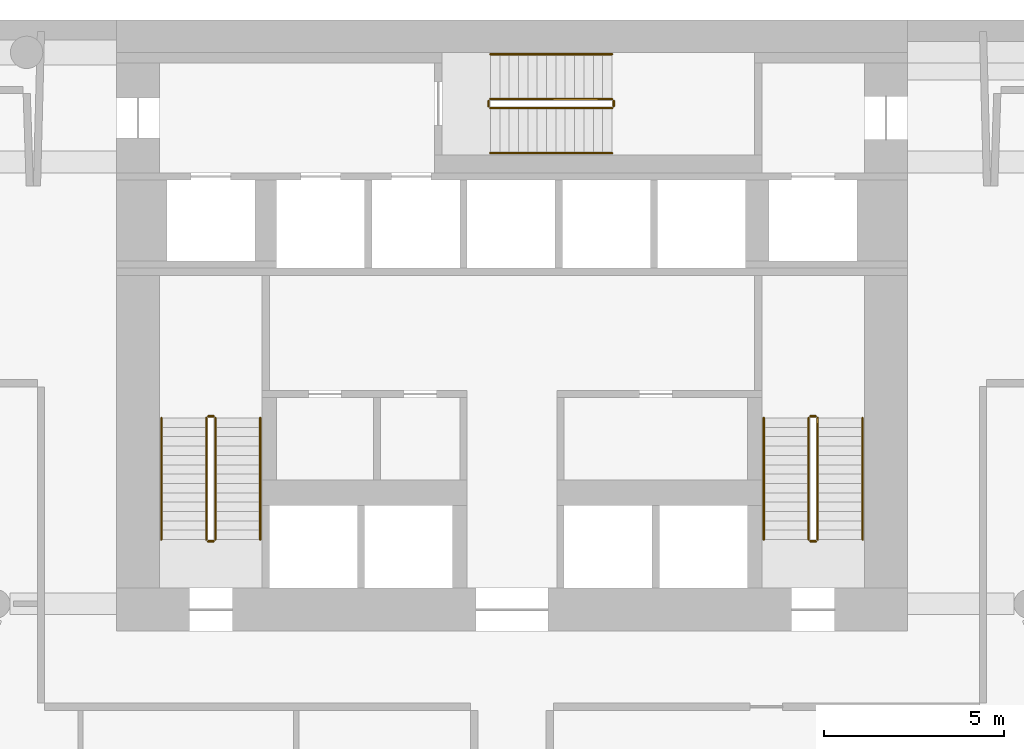
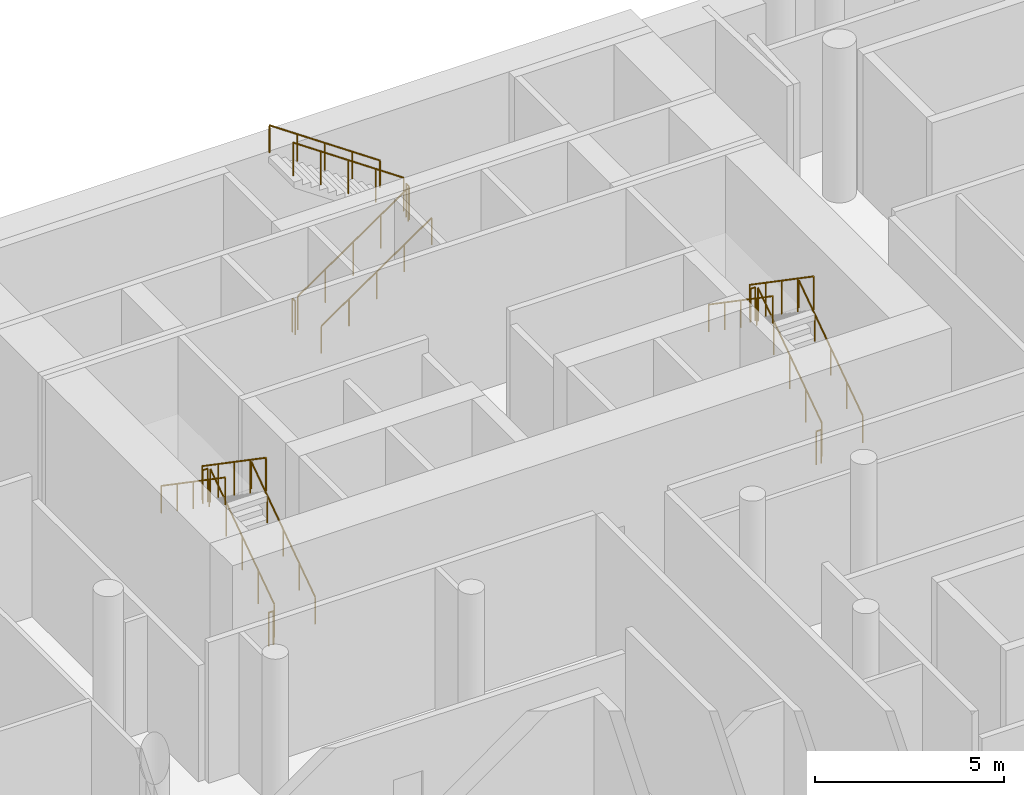
# One storey, part 10 of 10: 18 railings.
"""IFC4 building model written with IfcOpenShell, lengths in metres."""

import ifcopenshell
import ifcopenshell.guid

model = None  # the IFC model being written
_history = None  # IfcOwnerHistory: only IFC2X3 demands one
_inside = {}  # id of a spatial element -> (the spatial element, [elements in it])
_under = {}  # id of a project, library or spatial element -> (it, [spatial elements below it])
_declared = {}  # id of a project -> (the project, [libraries it declares])
_typed = {}  # id of a type object -> (the type object, [elements of that type])
_made_of = {}  # id of a material, layer set ... -> (it, [elements and type objects made of it])


def new_model(schema):
    """Start an empty IFC model of exactly this schema.

    Asked for "IFC4X3", IfcOpenShell would pick the latest addendum, in which some entities
    have other attributes; the version numbers below select the first issue.
    IFC2X3 requires an IfcOwnerHistory on every rooted entity: one is made here for all.
    """
    global model, _history
    if schema == "IFC4X3":
        model = ifcopenshell.file(schema_version=(4, 3, 0, 0))
    else:
        model = ifcopenshell.file(schema=schema)
    _inside.clear()
    _under.clear()
    _declared.clear()
    _typed.clear()
    _made_of.clear()
    _history = None
    if model.schema == "IFC2X3":
        org = make("IfcOrganization", Name="unknown")
        user = make(
            "IfcPersonAndOrganization",
            ThePerson=make("IfcPerson", FamilyName="unknown"),
            TheOrganization=org,
        )
        app = make(
            "IfcApplication",
            ApplicationDeveloper=org,
            Version="unknown",
            ApplicationFullName="unknown",
            ApplicationIdentifier="unknown",
        )
        _history = make(
            "IfcOwnerHistory",
            OwningUser=user,
            OwningApplication=app,
            ChangeAction="ADDED",
            CreationDate=0,
        )
    return model


def make(cls, **values):
    """One entity of the class cls with the attributes given. An attribute that is None is left unset."""
    return model.create_entity(
        cls, **{name: value for name, value in values.items() if value is not None}
    )


def rooted(cls, **values):
    """An entity with a GlobalId (a new one), such as an element, a storey or a relation."""
    return make(cls, GlobalId=ifcopenshell.guid.new(), OwnerHistory=_history, **values)


def si_unit(unit_type, name, prefix=None):
    """IfcSIUnit, for example si_unit("LENGTHUNIT", "METRE", prefix="MILLI")."""
    return make("IfcSIUnit", UnitType=unit_type, Prefix=prefix, Name=name)


def assignment(units):
    """IfcUnitAssignment: the units of a project."""
    return None if units is None else make("IfcUnitAssignment", Units=units)


def point(xyz):
    """IfcCartesianPoint."""
    return None if xyz is None else make("IfcCartesianPoint", Coordinates=xyz)


def direction(xyz):
    """IfcDirection."""
    return None if xyz is None else make("IfcDirection", DirectionRatios=xyz)


def frame(location, z_axis=None, x_axis=None):
    """IfcAxis2Placement3D, a coordinate frame: its origin and axes. An axis left out is left unset."""
    return make(
        "IfcAxis2Placement3D",
        Location=point(location),
        Axis=direction(z_axis),
        RefDirection=direction(x_axis),
    )


def frame_2d(location, x_axis=None):
    """IfcAxis2Placement2D, a coordinate frame in the plane: its origin and x axis."""
    return make(
        "IfcAxis2Placement2D", Location=point(location), RefDirection=direction(x_axis)
    )


def origin():
    """The frame at (0, 0, 0) with its axes left unset."""
    return frame((0.0, 0.0, 0.0))


def origin_2d():
    """The frame at (0, 0) in the plane with its x axis left unset."""
    return frame_2d((0.0, 0.0))


def place(relative_to, where):
    """IfcLocalPlacement: puts the frame where relative to a parent placement (None: the world)."""
    return make(
        "IfcLocalPlacement", PlacementRelTo=relative_to, RelativePlacement=where
    )


def context(
    kind, dimensions, precision=None, world=None, true_north=None, identifier=None
):
    """IfcGeometricRepresentationContext, for example the 3D "Model" context."""
    return make(
        "IfcGeometricRepresentationContext",
        ContextIdentifier=identifier,
        ContextType=kind,
        CoordinateSpaceDimension=dimensions,
        Precision=precision,
        WorldCoordinateSystem=world,
        TrueNorth=true_north,
    )


def subcontext(parent, identifier, kind, view, scale=None):
    """IfcGeometricRepresentationSubContext, for example "Body" below "Model"."""
    return make(
        "IfcGeometricRepresentationSubContext",
        ContextIdentifier=identifier,
        ContextType=kind,
        ParentContext=parent,
        TargetScale=scale,
        TargetView=view,
    )


def project(units=None, contexts=None):
    """IfcProject with its units and contexts."""
    return rooted(
        "IfcProject",
        Name="project",
        RepresentationContexts=contexts,
        UnitsInContext=assignment(units),
    )


def spatial(cls, under=None, at=None, **own):
    """A site, building, storey or space (cls), placed at a placement, below another one or the project."""
    s = rooted(cls, ObjectPlacement=at, **own)
    if under is not None:
        _under.setdefault(under.id(), (under, []))[1].append(s)
    return s


def profile(cls, at=None, kind="AREA", **sizes):
    """A parametric profile (cls). Its sizes go by their IFC names, for example OverallWidth=200.0."""
    return make(cls, ProfileType=kind, Position=at, **sizes)


def circle(**sizes):
    """IfcCircleProfileDef."""
    return profile("IfcCircleProfileDef", **sizes)


def extrude(swept, where, along, depth):
    """IfcExtrudedAreaSolid: the profile swept, set in the frame where, extruded along a direction by depth."""
    return make(
        "IfcExtrudedAreaSolid",
        SweptArea=swept,
        Position=where,
        ExtrudedDirection=direction(along),
        Depth=depth,
    )


def shape(context_of_items, identifier, shape_type, items):
    """IfcShapeRepresentation: the items that make up one representation, for example the "Body"."""
    return make(
        "IfcShapeRepresentation",
        ContextOfItems=context_of_items,
        RepresentationIdentifier=identifier,
        RepresentationType=shape_type,
        Items=items,
    )


def material(Name=None, Category=None):
    """IfcMaterial."""
    return make("IfcMaterial", Name=Name, Category=Category)


def made_of(thing, what):
    """Note that an element or type object is made of a material, layer set ...; save() writes the relation."""
    if what is not None:
        _made_of.setdefault(what.id(), (what, []))[1].append(thing)
    return thing


def type_object(cls, material=None, **own):
    """A type object (cls), such as IfcWallType, which elements share."""
    return made_of(rooted(cls, **own), material)


def element(
    cls,
    number,
    at=None,
    inside=None,
    cuts=None,
    type_object=None,
    material=None,
    context=None,
    identifier="Body",
    shape_type=None,
    held_by="IfcProductDefinitionShape",
    body=None,
    shapes=None,
    **own,
):
    """One element of the class cls, such as IfcWall. Its Tag is "e" and its number.

    at: its placement. inside: the storey or other place that contains it. cuts: it is an
    opening in that element (IfcRelVoidsElement). A single representation is given by context,
    identifier, shape_type and body (its items); several are given by shapes. held_by: the class
    of the entity that holds the representations. save() writes the other relations.
    """
    e = rooted(cls, Tag="e%d" % number, ObjectPlacement=at, **own)
    if body is not None:
        shapes = [shape(context, identifier, shape_type, body)]
    if shapes is not None:
        e.Representation = make(held_by, Representations=shapes)
    if inside is not None:
        _inside.setdefault(inside.id(), (inside, []))[1].append(e)
    if cuts is not None:
        rooted(
            "IfcRelVoidsElement", RelatingBuildingElement=cuts, RelatedOpeningElement=e
        )
    if type_object is not None:
        _typed.setdefault(type_object.id(), (type_object, []))[1].append(e)
    return made_of(e, material)


def aggregate(whole, parts):
    """IfcRelAggregates: a whole, such as a stair, and the parts it consists of."""
    return rooted("IfcRelAggregates", RelatingObject=whole, RelatedObjects=parts)


def save(model, path):
    """Write the relations noted so far, then the file.

    IfcRelAggregates (storeys below a building ...), IfcRelContainedInSpatialStructure (elements
    in a storey), IfcRelDefinesByType, IfcRelAssociatesMaterial and IfcRelDeclares: one each for
    every whole, place, type object, material and project.
    """
    for whole, parts in _under.values():
        aggregate(whole, parts)
    for where, things in _inside.values():
        rooted(
            "IfcRelContainedInSpatialStructure",
            RelatedElements=things,
            RelatingStructure=where,
        )
    for kind, things in _typed.values():
        rooted("IfcRelDefinesByType", RelatedObjects=things, RelatingType=kind)
    for what, things in _made_of.values():
        rooted("IfcRelAssociatesMaterial", RelatedObjects=things, RelatingMaterial=what)
    for by, libraries in _declared.values():
        rooted("IfcRelDeclares", RelatingContext=by, RelatedDefinitions=libraries)
    model.write(path)


model = new_model("IFC4")

# Units and contexts
model_context = context("Model", 3, precision=1e-05, world=origin(), true_north=direction((0.0, 1.0)))
body_context = subcontext(model_context, "Body", "Model", "MODEL_VIEW")
ifc_project = project(units=[si_unit("LENGTHUNIT", "METRE"), si_unit("AREAUNIT", "SQUARE_METRE"), si_unit("VOLUMEUNIT", "CUBIC_METRE"), si_unit("PLANEANGLEUNIT", "RADIAN"), si_unit("MASSUNIT", "GRAM", prefix="KILO")], contexts=[model_context])

# Site, building, storey
site_placement = place(None, origin())
site = spatial("IfcSite", under=ifc_project, at=site_placement, CompositionType="ELEMENT")
building_placement = place(site_placement, origin())
building = spatial("IfcBuilding", under=site, at=building_placement, Name="White Candle Pilgrim Tower", CompositionType="ELEMENT")
storey_placement = place(building_placement, frame((0.0, 0.0, -5.0)))
storey = spatial("IfcBuildingStorey", under=building, at=storey_placement, Name="B1", CompositionType="ELEMENT", Elevation=-5.0)

# Railings
ifc_material = material(Name="Stainless steel", Category="steel")
railing_type_1 = type_object("IfcRailingType", Name="Stair guard stainless steel 1100 mm", PredefinedType="GUARDRAIL", material=ifc_material)
railing_1_placement = place(storey_placement, frame((61.75, 73.550048828125, 0.178466796875)))
element("IfcRailing", 1, at=railing_1_placement, inside=storey, type_object=railing_type_1, Name="B1 ST1 stair guard 1", PredefinedType="GUARDRAIL", context=body_context, shape_type="SweptSolid", body=[
    extrude(circle(Radius=0.02392578125, at=origin_2d()), frame((0.0, 0.0, 1.076171875), z_axis=(0.0, 0.824285065979, 0.566174999451), x_axis=(-1.0, 0.0, 0.0)), (0.0, 0.0, 1.0), 4.100341796875),
    extrude(circle(Radius=0.02099609375, at=origin_2d()), origin(), (0.0, 0.0, 1.0), 1.052001953125),
    extrude(circle(Radius=0.02099609375, at=origin_2d()), frame((0.0, 0.844970703125, 0.580322265625)), (0.0, 0.0, 1.0), 1.052001953125),
    extrude(circle(Radius=0.02099609375, at=origin_2d()), frame((0.0, 1.68994140625, 1.16064453125)), (0.0, 0.0, 1.0), 1.052001953125),
    extrude(circle(Radius=0.02099609375, at=origin_2d()), frame((0.0, 2.534912109375, 1.7412109375)), (0.0, 0.0, 1.0), 1.052001953125),
    extrude(circle(Radius=0.02099609375, at=origin_2d()), frame((0.0, 3.3798828125, 2.321533203125)), (0.0, 0.0, 1.0), 1.052001953125),
])
railing_2_placement = place(storey_placement, frame((61.699951171875, 76.97998046875, 2.5)))
element("IfcRailing", 2, at=railing_2_placement, inside=storey, type_object=railing_type_1, Name="B1 ST1 stair guard 2", PredefinedType="GUARDRAIL", context=body_context, shape_type="SweptSolid", body=[
    extrude(circle(Radius=0.02392578125, at=origin_2d()), frame((0.0, 0.0, 1.076171875), z_axis=(-1.0, 0.0, 0.0), x_axis=(0.0, -1.0, 0.0)), (0.0, 0.0, 1.0), 0.14990234375),
    extrude(circle(Radius=0.02099609375, at=origin_2d()), origin(), (0.0, 0.0, 1.0), 1.052001953125),
    extrude(circle(Radius=0.02099609375, at=origin_2d()), frame((-0.14990234375, 0.0, 0.0)), (0.0, 0.0, 1.0), 1.052001953125),
])
railing_3_placement = place(storey_placement, frame((61.5, 76.929931640625, 2.678466796875)))
element("IfcRailing", 3, at=railing_3_placement, inside=storey, type_object=railing_type_1, Name="B1 ST1 stair guard 3", PredefinedType="GUARDRAIL", context=body_context, shape_type="SweptSolid", body=[
    extrude(circle(Radius=0.02392578125, at=origin_2d()), frame((0.0, 0.0, 1.076171875), z_axis=(0.0, -0.824285065979, 0.566174999451), x_axis=(1.0, 0.0, 0.0)), (0.0, 0.0, 1.0), 4.100341796875),
    extrude(circle(Radius=0.02099609375, at=origin_2d()), origin(), (0.0, 0.0, 1.0), 1.052001953125),
    extrude(circle(Radius=0.02099609375, at=origin_2d()), frame((0.0, -0.844970703125, 0.580322265625)), (0.0, 0.0, 1.0), 1.052001953125),
    extrude(circle(Radius=0.02099609375, at=origin_2d()), frame((0.0, -1.68994140625, 1.16064453125)), (0.0, 0.0, 1.0), 1.052001953125),
    extrude(circle(Radius=0.02099609375, at=origin_2d()), frame((0.0, -2.534912109375, 1.7412109375)), (0.0, 0.0, 1.0), 1.052001953125),
    extrude(circle(Radius=0.02099609375, at=origin_2d()), frame((0.0, -3.3798828125, 2.321533203125)), (0.0, 0.0, 1.0), 1.052001953125),
])
railing_4_placement = place(storey_placement, frame((61.699951171875, 73.5, 0.0)))
element("IfcRailing", 4, at=railing_4_placement, inside=storey, type_object=railing_type_1, Name="B1 ST1 stair guard 4", PredefinedType="GUARDRAIL", context=body_context, shape_type="SweptSolid", body=[
    extrude(circle(Radius=0.02392578125, at=origin_2d()), frame((0.0, 0.0, 1.076171875), z_axis=(-1.0, 0.0, 0.0), x_axis=(0.0, -1.0, 0.0)), (0.0, 0.0, 1.0), 0.14990234375),
    extrude(circle(Radius=0.02099609375, at=origin_2d()), origin(), (0.0, 0.0, 1.0), 1.052001953125),
    extrude(circle(Radius=0.02099609375, at=origin_2d()), frame((-0.14990234375, 0.0, 0.0)), (0.0, 0.0, 1.0), 1.052001953125),
])
railing_5_placement = place(storey_placement, frame((78.5, 73.550048828125, 0.178466796875)))
element("IfcRailing", 5, at=railing_5_placement, inside=storey, type_object=railing_type_1, Name="B1 ST2 stair guard 1", PredefinedType="GUARDRAIL", context=body_context, shape_type="SweptSolid", body=[
    extrude(circle(Radius=0.02392578125, at=origin_2d()), frame((0.0, 0.0, 1.076171875), z_axis=(0.0, 0.824285065979, 0.566174999451), x_axis=(-1.0, 0.0, 0.0)), (0.0, 0.0, 1.0), 4.100341796875),
    extrude(circle(Radius=0.02099609375, at=origin_2d()), origin(), (0.0, 0.0, 1.0), 1.052001953125),
    extrude(circle(Radius=0.02099609375, at=origin_2d()), frame((0.0, 0.844970703125, 0.580322265625)), (0.0, 0.0, 1.0), 1.052001953125),
    extrude(circle(Radius=0.02099609375, at=origin_2d()), frame((0.0, 1.68994140625, 1.16064453125)), (0.0, 0.0, 1.0), 1.052001953125),
    extrude(circle(Radius=0.02099609375, at=origin_2d()), frame((0.0, 2.534912109375, 1.7412109375)), (0.0, 0.0, 1.0), 1.052001953125),
    extrude(circle(Radius=0.02099609375, at=origin_2d()), frame((0.0, 3.3798828125, 2.321533203125)), (0.0, 0.0, 1.0), 1.052001953125),
])
railing_6_placement = place(storey_placement, frame((78.449951171875, 76.97998046875, 2.5)))
element("IfcRailing", 6, at=railing_6_placement, inside=storey, type_object=railing_type_1, Name="B1 ST2 stair guard 2", PredefinedType="GUARDRAIL", context=body_context, shape_type="SweptSolid", body=[
    extrude(circle(Radius=0.02392578125, at=origin_2d()), frame((0.0, 0.0, 1.076171875), z_axis=(-1.0, 0.0, 0.0), x_axis=(0.0, -1.0, 0.0)), (0.0, 0.0, 1.0), 0.14990234375),
    extrude(circle(Radius=0.02099609375, at=origin_2d()), origin(), (0.0, 0.0, 1.0), 1.052001953125),
    extrude(circle(Radius=0.02099609375, at=origin_2d()), frame((-0.14990234375, 0.0, 0.0)), (0.0, 0.0, 1.0), 1.052001953125),
])
railing_7_placement = place(storey_placement, frame((78.25, 76.929931640625, 2.678466796875)))
element("IfcRailing", 7, at=railing_7_placement, inside=storey, type_object=railing_type_1, Name="B1 ST2 stair guard 3", PredefinedType="GUARDRAIL", context=body_context, shape_type="SweptSolid", body=[
    extrude(circle(Radius=0.02392578125, at=origin_2d()), frame((0.0, 0.0, 1.076171875), z_axis=(0.0, -0.824285065979, 0.566174999451), x_axis=(1.0, 0.0, 0.0)), (0.0, 0.0, 1.0), 4.100341796875),
    extrude(circle(Radius=0.02099609375, at=origin_2d()), origin(), (0.0, 0.0, 1.0), 1.052001953125),
    extrude(circle(Radius=0.02099609375, at=origin_2d()), frame((0.0, -0.844970703125, 0.580322265625)), (0.0, 0.0, 1.0), 1.052001953125),
    extrude(circle(Radius=0.02099609375, at=origin_2d()), frame((0.0, -1.68994140625, 1.16064453125)), (0.0, 0.0, 1.0), 1.052001953125),
    extrude(circle(Radius=0.02099609375, at=origin_2d()), frame((0.0, -2.534912109375, 1.7412109375)), (0.0, 0.0, 1.0), 1.052001953125),
    extrude(circle(Radius=0.02099609375, at=origin_2d()), frame((0.0, -3.3798828125, 2.321533203125)), (0.0, 0.0, 1.0), 1.052001953125),
])
railing_8_placement = place(storey_placement, frame((78.449951171875, 73.5, 0.0)))
element("IfcRailing", 8, at=railing_8_placement, inside=storey, type_object=railing_type_1, Name="B1 ST2 stair guard 4", PredefinedType="GUARDRAIL", context=body_context, shape_type="SweptSolid", body=[
    extrude(circle(Radius=0.02392578125, at=origin_2d()), frame((0.0, 0.0, 1.076171875), z_axis=(-1.0, 0.0, 0.0), x_axis=(0.0, -1.0, 0.0)), (0.0, 0.0, 1.0), 0.14990234375),
    extrude(circle(Radius=0.02099609375, at=origin_2d()), origin(), (0.0, 0.0, 1.0), 1.052001953125),
    extrude(circle(Radius=0.02099609375, at=origin_2d()), frame((-0.14990234375, 0.0, 0.0)), (0.0, 0.0, 1.0), 1.052001953125),
])
railing_9_placement = place(storey_placement, frame((69.39990234375, 85.550048828125, 0.178466796875)))
element("IfcRailing", 9, at=railing_9_placement, inside=storey, type_object=railing_type_1, Name="B1 ST3 stair guard 1", PredefinedType="GUARDRAIL", context=body_context, shape_type="SweptSolid", body=[
    extrude(circle(Radius=0.02392578125, at=origin_2d()), frame((0.0, 0.0, 1.076171875), z_axis=(0.824304150675, 0.0, 0.566147213346), x_axis=(0.0, 1.0, 0.0)), (0.0, 0.0, 1.0), 4.1005859375),
    extrude(circle(Radius=0.02099609375, at=origin_2d()), origin(), (0.0, 0.0, 1.0), 1.052001953125),
    extrude(circle(Radius=0.02099609375, at=origin_2d()), frame((0.844970703125, 0.0, 0.580322265625)), (0.0, 0.0, 1.0), 1.052001953125),
    extrude(circle(Radius=0.02099609375, at=origin_2d()), frame((1.68994140625, 0.0, 1.16064453125)), (0.0, 0.0, 1.0), 1.052001953125),
    extrude(circle(Radius=0.02099609375, at=origin_2d()), frame((2.53515625, 0.0, 1.7412109375)), (0.0, 0.0, 1.0), 1.052001953125),
    extrude(circle(Radius=0.02099609375, at=origin_2d()), frame((3.380126953125, 0.0, 2.321533203125)), (0.0, 0.0, 1.0), 1.052001953125),
])
railing_10_placement = place(storey_placement, frame((72.830078125, 85.60009765625, 2.5)))
element("IfcRailing", 10, at=railing_10_placement, inside=storey, type_object=railing_type_1, Name="B1 ST3 stair guard 2", PredefinedType="GUARDRAIL", context=body_context, shape_type="SweptSolid", body=[
    extrude(circle(Radius=0.02392578125, at=origin_2d()), frame((0.0, 0.0, 1.076171875), z_axis=(0.0, 1.0, 0.0), x_axis=(-1.0, 0.0, 0.0)), (0.0, 0.0, 1.0), 0.14990234375),
    extrude(circle(Radius=0.02099609375, at=origin_2d()), origin(), (0.0, 0.0, 1.0), 1.052001953125),
    extrude(circle(Radius=0.02099609375, at=origin_2d()), frame((0.0, 0.14990234375, 0.0)), (0.0, 0.0, 1.0), 1.052001953125),
])
railing_11_placement = place(storey_placement, frame((72.780029296875, 85.800048828125, 2.678466796875)))
element("IfcRailing", 11, at=railing_11_placement, inside=storey, type_object=railing_type_1, Name="B1 ST3 stair guard 3", PredefinedType="GUARDRAIL", context=body_context, shape_type="SweptSolid", body=[
    extrude(circle(Radius=0.02392578125, at=origin_2d()), frame((0.0, 0.0, 1.076171875), z_axis=(-0.824304150675, 0.0, 0.566147213346), x_axis=(0.0, -1.0, 0.0)), (0.0, 0.0, 1.0), 4.1005859375),
    extrude(circle(Radius=0.02099609375, at=origin_2d()), origin(), (0.0, 0.0, 1.0), 1.052001953125),
    extrude(circle(Radius=0.02099609375, at=origin_2d()), frame((-0.844970703125, 0.0, 0.580322265625)), (0.0, 0.0, 1.0), 1.052001953125),
    extrude(circle(Radius=0.02099609375, at=origin_2d()), frame((-1.68994140625, 0.0, 1.16064453125)), (0.0, 0.0, 1.0), 1.052001953125),
    extrude(circle(Radius=0.02099609375, at=origin_2d()), frame((-2.53515625, 0.0, 1.7412109375)), (0.0, 0.0, 1.0), 1.052001953125),
    extrude(circle(Radius=0.02099609375, at=origin_2d()), frame((-3.380126953125, 0.0, 2.321533203125)), (0.0, 0.0, 1.0), 1.052001953125),
])
railing_12_placement = place(storey_placement, frame((69.35009765625, 85.60009765625, 0.0)))
element("IfcRailing", 12, at=railing_12_placement, inside=storey, type_object=railing_type_1, Name="B1 ST3 stair guard 4", PredefinedType="GUARDRAIL", context=body_context, shape_type="SweptSolid", body=[
    extrude(circle(Radius=0.02392578125, at=origin_2d()), frame((0.0, 0.0, 1.076171875), z_axis=(0.0, 1.0, 0.0), x_axis=(-1.0, 0.0, 0.0)), (0.0, 0.0, 1.0), 0.14990234375),
    extrude(circle(Radius=0.02099609375, at=origin_2d()), origin(), (0.0, 0.0, 1.0), 1.052001953125),
    extrude(circle(Radius=0.02099609375, at=origin_2d()), frame((0.0, 0.14990234375, 0.0)), (0.0, 0.0, 1.0), 1.052001953125),
])
railing_type_2 = type_object("IfcRailingType", Name="Stair handrail stainless steel", PredefinedType="HANDRAIL", material=ifc_material)
railing_13_placement = place(storey_placement, frame((63.0, 73.550048828125, 0.178466796875)))
element("IfcRailing", 13, at=railing_13_placement, inside=storey, type_object=railing_type_2, Name="B1 ST1 stair handrail 1", PredefinedType="HANDRAIL", context=body_context, shape_type="SweptSolid", body=[
    extrude(circle(Radius=0.02392578125, at=origin_2d()), frame((0.0, 0.0, 0.8759765625), z_axis=(0.0, 0.824285065979, 0.566174999451), x_axis=(-1.0, 0.0, 0.0)), (0.0, 0.0, 1.0), 4.100341796875),
    extrude(circle(Radius=0.02099609375, at=origin_2d()), origin(), (0.0, 0.0, 1.0), 0.851806640625),
    extrude(circle(Radius=0.02099609375, at=origin_2d()), frame((0.0, 0.844970703125, 0.580322265625)), (0.0, 0.0, 1.0), 0.851806640625),
    extrude(circle(Radius=0.02099609375, at=origin_2d()), frame((0.0, 1.68994140625, 1.16064453125)), (0.0, 0.0, 1.0), 0.851806640625),
    extrude(circle(Radius=0.02099609375, at=origin_2d()), frame((0.0, 2.534912109375, 1.7412109375)), (0.0, 0.0, 1.0), 0.851806640625),
    extrude(circle(Radius=0.02099609375, at=origin_2d()), frame((0.0, 3.3798828125, 2.321533203125)), (0.0, 0.0, 1.0), 0.851806640625),
])
railing_14_placement = place(storey_placement, frame((60.25, 76.929931640625, 2.678466796875)))
element("IfcRailing", 14, at=railing_14_placement, inside=storey, type_object=railing_type_2, Name="B1 ST1 stair handrail 2", PredefinedType="HANDRAIL", context=body_context, shape_type="SweptSolid", body=[
    extrude(circle(Radius=0.02392578125, at=origin_2d()), frame((0.0, 0.0, 0.8759765625), z_axis=(0.0, -0.824285065979, 0.566174999451), x_axis=(1.0, 0.0, 0.0)), (0.0, 0.0, 1.0), 4.100341796875),
    extrude(circle(Radius=0.02099609375, at=origin_2d()), origin(), (0.0, 0.0, 1.0), 0.851806640625),
    extrude(circle(Radius=0.02099609375, at=origin_2d()), frame((0.0, -0.844970703125, 0.580322265625)), (0.0, 0.0, 1.0), 0.851806640625),
    extrude(circle(Radius=0.02099609375, at=origin_2d()), frame((0.0, -1.68994140625, 1.16064453125)), (0.0, 0.0, 1.0), 0.851806640625),
    extrude(circle(Radius=0.02099609375, at=origin_2d()), frame((0.0, -2.534912109375, 1.7412109375)), (0.0, 0.0, 1.0), 0.851806640625),
    extrude(circle(Radius=0.02099609375, at=origin_2d()), frame((0.0, -3.3798828125, 2.321533203125)), (0.0, 0.0, 1.0), 0.851806640625),
])
railing_15_placement = place(storey_placement, frame((79.75, 73.550048828125, 0.178466796875)))
element("IfcRailing", 15, at=railing_15_placement, inside=storey, type_object=railing_type_2, Name="B1 ST2 stair handrail 1", PredefinedType="HANDRAIL", context=body_context, shape_type="SweptSolid", body=[
    extrude(circle(Radius=0.02392578125, at=origin_2d()), frame((0.0, 0.0, 0.8759765625), z_axis=(0.0, 0.824285065979, 0.566174999451), x_axis=(-1.0, 0.0, 0.0)), (0.0, 0.0, 1.0), 4.100341796875),
    extrude(circle(Radius=0.02099609375, at=origin_2d()), origin(), (0.0, 0.0, 1.0), 0.851806640625),
    extrude(circle(Radius=0.02099609375, at=origin_2d()), frame((0.0, 0.844970703125, 0.580322265625)), (0.0, 0.0, 1.0), 0.851806640625),
    extrude(circle(Radius=0.02099609375, at=origin_2d()), frame((0.0, 1.68994140625, 1.16064453125)), (0.0, 0.0, 1.0), 0.851806640625),
    extrude(circle(Radius=0.02099609375, at=origin_2d()), frame((0.0, 2.534912109375, 1.7412109375)), (0.0, 0.0, 1.0), 0.851806640625),
    extrude(circle(Radius=0.02099609375, at=origin_2d()), frame((0.0, 3.3798828125, 2.321533203125)), (0.0, 0.0, 1.0), 0.851806640625),
])
railing_16_placement = place(storey_placement, frame((77.0, 76.929931640625, 2.678466796875)))
element("IfcRailing", 16, at=railing_16_placement, inside=storey, type_object=railing_type_2, Name="B1 ST2 stair handrail 2", PredefinedType="HANDRAIL", context=body_context, shape_type="SweptSolid", body=[
    extrude(circle(Radius=0.02392578125, at=origin_2d()), frame((0.0, 0.0, 0.8759765625), z_axis=(0.0, -0.824285065979, 0.566174999451), x_axis=(1.0, 0.0, 0.0)), (0.0, 0.0, 1.0), 4.100341796875),
    extrude(circle(Radius=0.02099609375, at=origin_2d()), origin(), (0.0, 0.0, 1.0), 0.851806640625),
    extrude(circle(Radius=0.02099609375, at=origin_2d()), frame((0.0, -0.844970703125, 0.580322265625)), (0.0, 0.0, 1.0), 0.851806640625),
    extrude(circle(Radius=0.02099609375, at=origin_2d()), frame((0.0, -1.68994140625, 1.16064453125)), (0.0, 0.0, 1.0), 0.851806640625),
    extrude(circle(Radius=0.02099609375, at=origin_2d()), frame((0.0, -2.534912109375, 1.7412109375)), (0.0, 0.0, 1.0), 0.851806640625),
    extrude(circle(Radius=0.02099609375, at=origin_2d()), frame((0.0, -3.3798828125, 2.321533203125)), (0.0, 0.0, 1.0), 0.851806640625),
])
railing_17_placement = place(storey_placement, frame((69.39990234375, 84.300048828125, 0.178466796875)))
element("IfcRailing", 17, at=railing_17_placement, inside=storey, type_object=railing_type_2, Name="B1 ST3 stair handrail 1", PredefinedType="HANDRAIL", context=body_context, shape_type="SweptSolid", body=[
    extrude(circle(Radius=0.02392578125, at=origin_2d()), frame((0.0, 0.0, 0.8759765625), z_axis=(0.824304150675, 0.0, 0.566147213346), x_axis=(0.0, 1.0, 0.0)), (0.0, 0.0, 1.0), 4.1005859375),
    extrude(circle(Radius=0.02099609375, at=origin_2d()), origin(), (0.0, 0.0, 1.0), 0.851806640625),
    extrude(circle(Radius=0.02099609375, at=origin_2d()), frame((0.844970703125, 0.0, 0.580322265625)), (0.0, 0.0, 1.0), 0.851806640625),
    extrude(circle(Radius=0.02099609375, at=origin_2d()), frame((1.68994140625, 0.0, 1.16064453125)), (0.0, 0.0, 1.0), 0.851806640625),
    extrude(circle(Radius=0.02099609375, at=origin_2d()), frame((2.53515625, 0.0, 1.7412109375)), (0.0, 0.0, 1.0), 0.851806640625),
    extrude(circle(Radius=0.02099609375, at=origin_2d()), frame((3.380126953125, 0.0, 2.321533203125)), (0.0, 0.0, 1.0), 0.851806640625),
])
railing_18_placement = place(storey_placement, frame((72.780029296875, 87.050048828125, 2.678466796875)))
element("IfcRailing", 18, at=railing_18_placement, inside=storey, type_object=railing_type_2, Name="B1 ST3 stair handrail 2", PredefinedType="HANDRAIL", context=body_context, shape_type="SweptSolid", body=[
    extrude(circle(Radius=0.02392578125, at=origin_2d()), frame((0.0, 0.0, 0.8759765625), z_axis=(-0.824304150675, 0.0, 0.566147213346), x_axis=(0.0, -1.0, 0.0)), (0.0, 0.0, 1.0), 4.1005859375),
    extrude(circle(Radius=0.02099609375, at=origin_2d()), origin(), (0.0, 0.0, 1.0), 0.851806640625),
    extrude(circle(Radius=0.02099609375, at=origin_2d()), frame((-0.844970703125, 0.0, 0.580322265625)), (0.0, 0.0, 1.0), 0.851806640625),
    extrude(circle(Radius=0.02099609375, at=origin_2d()), frame((-1.68994140625, 0.0, 1.16064453125)), (0.0, 0.0, 1.0), 0.851806640625),
    extrude(circle(Radius=0.02099609375, at=origin_2d()), frame((-2.53515625, 0.0, 1.7412109375)), (0.0, 0.0, 1.0), 0.851806640625),
    extrude(circle(Radius=0.02099609375, at=origin_2d()), frame((-3.380126953125, 0.0, 2.321533203125)), (0.0, 0.0, 1.0), 0.851806640625),
])

save(model, "model.ifc")
